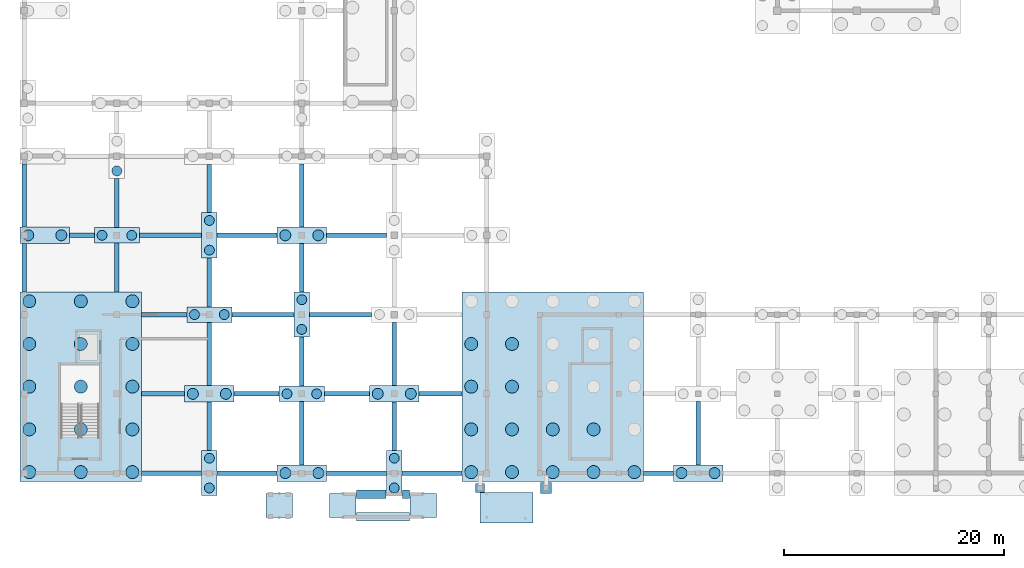
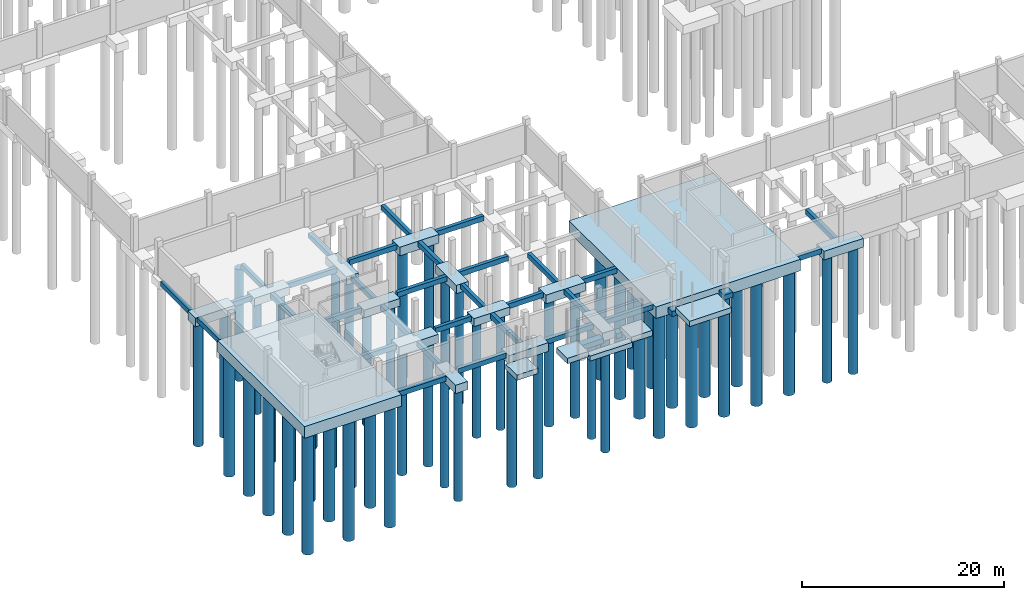
# One storey, part 1 of 22: 55 footings, 55 piles.
"""IFC4 building model written with IfcOpenShell, lengths in metres."""

from ifc_helpers import new_model, si_unit, direction, frame, origin, origin_2d, place, context, subcontext, project, spatial, rectangle, circle, extrude, material, material_profile, profile_set, type_object, element, save


model = new_model("IFC4")

# Units and contexts
model_context = context("Model", 3, precision=1e-05, world=origin(), true_north=direction((0.0, 1.0)))
body_context = subcontext(model_context, "Body", "Model", "MODEL_VIEW")
ifc_project = project(units=[si_unit("LENGTHUNIT", "METRE"), si_unit("AREAUNIT", "SQUARE_METRE"), si_unit("VOLUMEUNIT", "CUBIC_METRE"), si_unit("PLANEANGLEUNIT", "RADIAN"), si_unit("MASSUNIT", "GRAM", prefix="KILO")], contexts=[model_context])

# Site, building, storey
site_placement = place(None, origin())
site = spatial("IfcSite", under=ifc_project, at=site_placement, CompositionType="ELEMENT")
building_placement = place(site_placement, origin())
building = spatial("IfcBuilding", under=site, at=building_placement, Name="Kahlenmark Community Centre", CompositionType="ELEMENT")
storey_placement = place(building_placement, frame((0.0, 0.0, -4.199951171875)))
storey = spatial("IfcBuildingStorey", under=building, at=storey_placement, Name="B1", CompositionType="ELEMENT", Elevation=-4.199951171875)

# Footings
ifc_material = material(Name="Concrete C30/37", Category="concrete")
footing_type_1 = type_object("IfcFootingType", Name="FT-GB-400X600", PredefinedType="FOOTING_BEAM", material=ifc_material)
for number, where, z_axis, x_axis, name in (
    (1, (17.375, 8.800048828125, -1.0), (0.0, 0.0, 1.0), (1.0, 0.0, 0.0), "Ground tie beam X001"),
    (2, (24.22509765625, 8.800048828125, -0.60009765625), (0.0, 0.0, 1.0), (1.0, 0.0, 0.0), "Ground tie beam X002"),
    (3, (34.175048828125, 8.800048828125, -0.60009765625), (0.0, 0.0, 1.0), (1.0, 0.0, 0.0), "Ground tie beam X003"),
    (4, (41.02490234375, 8.800048828125, -0.60009765625), (0.0, 0.0, 1.0), (1.0, 0.0, 0.0), "Ground tie beam X004"),
):
    element("IfcFooting", number, at=place(storey_placement, frame(where, z_axis=z_axis, x_axis=x_axis)), inside=storey, type_object=footing_type_1, Name=name, PredefinedType="FOOTING_BEAM", context=body_context, shape_type="SweptSolid", body=[
        extrude(rectangle(XDim=5.449951171875, YDim=0.39990234375, at=origin_2d()), origin(), (0.0, 0.0, 1.0), 0.60009765625),
    ])
footing_1_placement = place(storey_placement, frame((61.60009765625, 8.800048828125, -0.60009765625), z_axis=(0.0, 0.0, 1.0), x_axis=(1.0, 0.0, 0.0)))
element("IfcFooting", 5, at=footing_1_placement, inside=storey, type_object=footing_type_1, Name="Ground tie beam X005", PredefinedType="FOOTING_BEAM", context=body_context, shape_type="SweptSolid", body=[
    extrude(rectangle(XDim=2.699951171875, YDim=0.39990234375, at=origin_2d()), origin(), (0.0, 0.0, 1.0), 0.60009765625),
])
footing_2_placement = place(storey_placement, frame((16.60009765625, 16.0, -1.0), z_axis=(0.0, 0.0, 1.0), x_axis=(1.0, 0.0, 0.0)))
element("IfcFooting", 6, at=footing_2_placement, inside=storey, type_object=footing_type_1, Name="Ground tie beam X014", PredefinedType="FOOTING_BEAM", context=body_context, shape_type="SweptSolid", body=[
    extrude(rectangle(XDim=3.89990234375, YDim=0.39990234375, at=origin_2d()), origin(), (0.0, 0.0, 1.0), 0.60009765625),
])
for number, where, z_axis, x_axis, name in (
    (7, (25.10009765625, 16.0, -0.60009765625), (0.0, 0.0, 1.0), (1.0, 0.0, 0.0), "Ground tie beam X015"),
    (8, (33.300048828125, 16.0, -0.60009765625), (0.0, 0.0, 1.0), (1.0, 0.0, 0.0), "Ground tie beam X016"),
):
    element("IfcFooting", number, at=place(storey_placement, frame(where, z_axis=z_axis, x_axis=x_axis)), inside=storey, type_object=footing_type_1, Name=name, PredefinedType="FOOTING_BEAM", context=body_context, shape_type="SweptSolid", body=[
        extrude(rectangle(XDim=4.10009765625, YDim=0.39990234375, at=origin_2d()), origin(), (0.0, 0.0, 1.0), 0.60009765625),
    ])
footing_3_placement = place(storey_placement, frame((41.800048828125, 16.0, -0.60009765625), z_axis=(0.0, 0.0, 1.0), x_axis=(1.0, 0.0, 0.0)))
element("IfcFooting", 9, at=footing_3_placement, inside=storey, type_object=footing_type_1, Name="Ground tie beam X017", PredefinedType="FOOTING_BEAM", context=body_context, shape_type="SweptSolid", body=[
    extrude(rectangle(XDim=3.89990234375, YDim=0.39990234375, at=origin_2d()), origin(), (0.0, 0.0, 1.0), 0.60009765625),
])
footing_4_placement = place(storey_placement, frame((16.699951171875, 23.199951171875, -1.0), z_axis=(0.0, 0.0, 1.0), x_axis=(1.0, 0.0, 0.0)))
element("IfcFooting", 10, at=footing_4_placement, inside=storey, type_object=footing_type_1, Name="Ground tie beam X029", PredefinedType="FOOTING_BEAM", context=body_context, shape_type="SweptSolid", body=[
    extrude(rectangle(XDim=4.10009765625, YDim=0.39990234375, at=origin_2d()), origin(), (0.0, 0.0, 1.0), 0.60009765625),
])
for number, where, z_axis, x_axis, name in (
    (11, (25.675048828125, 23.199951171875, -0.60009765625), (0.0, 0.0, 1.0), (1.0, 0.0, 0.0), "Ground tie beam X030"),
    (12, (32.72509765625, 23.199951171875, -0.60009765625), (0.0, 0.0, 1.0), (1.0, 0.0, 0.0), "Ground tie beam X031"),
):
    element("IfcFooting", number, at=place(storey_placement, frame(where, z_axis=z_axis, x_axis=x_axis)), inside=storey, type_object=footing_type_1, Name=name, PredefinedType="FOOTING_BEAM", context=body_context, shape_type="SweptSolid", body=[
        extrude(rectangle(XDim=5.64990234375, YDim=0.39990234375, at=origin_2d()), origin(), (0.0, 0.0, 1.0), 0.60009765625),
    ])
footing_5_placement = place(storey_placement, frame((9.22509765625, 30.39990234375, -1.0), z_axis=(0.0, 0.0, 1.0), x_axis=(1.0, 0.0, 0.0)))
element("IfcFooting", 13, at=footing_5_placement, inside=storey, type_object=footing_type_1, Name="Ground tie beam X048", PredefinedType="FOOTING_BEAM", context=body_context, shape_type="SweptSolid", body=[
    extrude(rectangle(XDim=2.25, YDim=0.39990234375, at=origin_2d()), origin(), (0.0, 0.0, 1.0), 0.60009765625),
])
footing_6_placement = place(storey_placement, frame((17.27490234375, 30.39990234375, -1.0), z_axis=(0.0, 0.0, 1.0), x_axis=(1.0, 0.0, 0.0)))
element("IfcFooting", 14, at=footing_6_placement, inside=storey, type_object=footing_type_1, Name="Ground tie beam X049", PredefinedType="FOOTING_BEAM", context=body_context, shape_type="SweptSolid", body=[
    extrude(rectangle(XDim=5.64990234375, YDim=0.39990234375, at=origin_2d()), origin(), (0.0, 0.0, 1.0), 0.60009765625),
])
for number, where, z_axis, x_axis, name in (
    (15, (24.22509765625, 30.39990234375, -0.60009765625), (0.0, 0.0, 1.0), (1.0, 0.0, 0.0), "Ground tie beam X050"),
    (16, (34.175048828125, 30.39990234375, -0.60009765625), (0.0, 0.0, 1.0), (1.0, 0.0, 0.0), "Ground tie beam X051"),
):
    element("IfcFooting", number, at=place(storey_placement, frame(where, z_axis=z_axis, x_axis=x_axis)), inside=storey, type_object=footing_type_1, Name=name, PredefinedType="FOOTING_BEAM", context=body_context, shape_type="SweptSolid", body=[
        extrude(rectangle(XDim=5.449951171875, YDim=0.39990234375, at=origin_2d()), origin(), (0.0, 0.0, 1.0), 0.60009765625),
    ])
footing_7_placement = place(storey_placement, frame((4.0, 27.449951171875, -1.0), z_axis=(0.0, 0.0, 1.0), x_axis=(1.0, 0.0, 0.0)))
element("IfcFooting", 17, at=footing_7_placement, inside=storey, type_object=footing_type_1, Name="Ground tie beam Y111", PredefinedType="FOOTING_BEAM", context=body_context, shape_type="SweptSolid", body=[
    extrude(rectangle(XDim=0.39990234375, YDim=4.39990234375, at=origin_2d()), origin(), (0.0, 0.0, 1.0), 0.60009765625),
])
footing_8_placement = place(storey_placement, frame((4.0, 34.02490234375, -1.0), z_axis=(0.0, 0.0, 1.0), x_axis=(1.0, 0.0, 0.0)))
element("IfcFooting", 18, at=footing_8_placement, inside=storey, type_object=footing_type_1, Name="Ground tie beam Y112", PredefinedType="FOOTING_BEAM", context=body_context, shape_type="SweptSolid", body=[
    extrude(rectangle(XDim=0.39990234375, YDim=5.75, at=origin_2d()), origin(), (0.0, 0.0, 1.0), 0.60009765625),
])
for number, where, z_axis, x_axis, name in (
    (19, (12.39990234375, 27.47509765625, -1.0), (0.0, 0.0, 1.0), (1.0, 0.0, 0.0), "Ground tie beam Y120"),
    (20, (12.39990234375, 33.324951171875, -1.0), (0.0, 0.0, 1.0), (1.0, 0.0, 0.0), "Ground tie beam Y121"),
):
    element("IfcFooting", number, at=place(storey_placement, frame(where, z_axis=z_axis, x_axis=x_axis)), inside=storey, type_object=footing_type_1, Name=name, PredefinedType="FOOTING_BEAM", context=body_context, shape_type="SweptSolid", body=[
        extrude(rectangle(XDim=0.39990234375, YDim=4.449951171875, at=origin_2d()), origin(), (0.0, 0.0, 1.0), 0.60009765625),
    ])
footing_9_placement = place(storey_placement, frame((20.800048828125, 13.050048828125, -1.0), z_axis=(0.0, 0.0, 1.0), x_axis=(1.0, 0.0, 0.0)))
element("IfcFooting", 21, at=footing_9_placement, inside=storey, type_object=footing_type_1, Name="Ground tie beam Y125", PredefinedType="FOOTING_BEAM", context=body_context, shape_type="SweptSolid", body=[
    extrude(rectangle(XDim=0.39990234375, YDim=4.39990234375, at=origin_2d()), origin(), (0.0, 0.0, 1.0), 0.60009765625),
])
footing_10_placement = place(storey_placement, frame((20.800048828125, 19.625, -1.0), z_axis=(0.0, 0.0, 1.0), x_axis=(1.0, 0.0, 0.0)))
element("IfcFooting", 22, at=footing_10_placement, inside=storey, type_object=footing_type_1, Name="Ground tie beam Y126", PredefinedType="FOOTING_BEAM", context=body_context, shape_type="SweptSolid", body=[
    extrude(rectangle(XDim=0.39990234375, YDim=5.75, at=origin_2d()), origin(), (0.0, 0.0, 1.0), 0.60009765625),
])
footing_11_placement = place(storey_placement, frame((20.800048828125, 26.125, -1.0), z_axis=(0.0, 0.0, 1.0), x_axis=(1.0, 0.0, 0.0)))
element("IfcFooting", 23, at=footing_11_placement, inside=storey, type_object=footing_type_1, Name="Ground tie beam Y127", PredefinedType="FOOTING_BEAM", context=body_context, shape_type="SweptSolid", body=[
    extrude(rectangle(XDim=0.39990234375, YDim=4.449951171875, at=origin_2d()), origin(), (0.0, 0.0, 1.0), 0.60009765625),
])
footing_12_placement = place(storey_placement, frame((20.800048828125, 34.64990234375, -1.0), z_axis=(0.0, 0.0, 1.0), x_axis=(1.0, 0.0, 0.0)))
element("IfcFooting", 24, at=footing_12_placement, inside=storey, type_object=footing_type_1, Name="Ground tie beam Y128", PredefinedType="FOOTING_BEAM", context=body_context, shape_type="SweptSolid", body=[
    extrude(rectangle(XDim=0.39990234375, YDim=4.39990234375, at=origin_2d()), origin(), (0.0, 0.0, 1.0), 0.60009765625),
])
footing_13_placement = place(storey_placement, frame((29.199951171875, 12.425048828125, -0.60009765625), z_axis=(0.0, 0.0, 1.0), x_axis=(1.0, 0.0, 0.0)))
element("IfcFooting", 25, at=footing_13_placement, inside=storey, type_object=footing_type_1, Name="Ground tie beam Y132", PredefinedType="FOOTING_BEAM", context=body_context, shape_type="SweptSolid", body=[
    extrude(rectangle(XDim=0.39990234375, YDim=5.75, at=origin_2d()), origin(), (0.0, 0.0, 1.0), 0.60009765625),
])
footing_14_placement = place(storey_placement, frame((29.199951171875, 18.925048828125, -0.60009765625), z_axis=(0.0, 0.0, 1.0), x_axis=(1.0, 0.0, 0.0)))
element("IfcFooting", 26, at=footing_14_placement, inside=storey, type_object=footing_type_1, Name="Ground tie beam Y133", PredefinedType="FOOTING_BEAM", context=body_context, shape_type="SweptSolid", body=[
    extrude(rectangle(XDim=0.39990234375, YDim=4.449951171875, at=origin_2d()), origin(), (0.0, 0.0, 1.0), 0.60009765625),
])
footing_15_placement = place(storey_placement, frame((29.199951171875, 27.449951171875, -0.60009765625), z_axis=(0.0, 0.0, 1.0), x_axis=(1.0, 0.0, 0.0)))
element("IfcFooting", 27, at=footing_15_placement, inside=storey, type_object=footing_type_1, Name="Ground tie beam Y134", PredefinedType="FOOTING_BEAM", context=body_context, shape_type="SweptSolid", body=[
    extrude(rectangle(XDim=0.39990234375, YDim=4.39990234375, at=origin_2d()), origin(), (0.0, 0.0, 1.0), 0.60009765625),
])
footing_16_placement = place(storey_placement, frame((29.199951171875, 34.02490234375, -0.60009765625), z_axis=(0.0, 0.0, 1.0), x_axis=(1.0, 0.0, 0.0)))
element("IfcFooting", 28, at=footing_16_placement, inside=storey, type_object=footing_type_1, Name="Ground tie beam Y135", PredefinedType="FOOTING_BEAM", context=body_context, shape_type="SweptSolid", body=[
    extrude(rectangle(XDim=0.39990234375, YDim=5.75, at=origin_2d()), origin(), (0.0, 0.0, 1.0), 0.60009765625),
])
footing_17_placement = place(storey_placement, frame((37.60009765625, 13.050048828125, -0.60009765625), z_axis=(0.0, 0.0, 1.0), x_axis=(1.0, 0.0, 0.0)))
element("IfcFooting", 29, at=footing_17_placement, inside=storey, type_object=footing_type_1, Name="Ground tie beam Y145", PredefinedType="FOOTING_BEAM", context=body_context, shape_type="SweptSolid", body=[
    extrude(rectangle(XDim=0.39990234375, YDim=4.39990234375, at=origin_2d()), origin(), (0.0, 0.0, 1.0), 0.60009765625),
])
for number, where, z_axis, x_axis, name in (
    (30, (37.60009765625, 19.625, -0.60009765625), (0.0, 0.0, 1.0), (1.0, 0.0, 0.0), "Ground tie beam Y146"),
    (31, (65.199951171875, 12.425048828125, -0.60009765625), (0.0, 0.0, 1.0), (1.0, 0.0, 0.0), "Ground tie beam Y162"),
):
    element("IfcFooting", number, at=place(storey_placement, frame(where, z_axis=z_axis, x_axis=x_axis)), inside=storey, type_object=footing_type_1, Name=name, PredefinedType="FOOTING_BEAM", context=body_context, shape_type="SweptSolid", body=[
        extrude(rectangle(XDim=0.39990234375, YDim=5.75, at=origin_2d()), origin(), (0.0, 0.0, 1.0), 0.60009765625),
    ])
footing_type_2 = type_object("IfcFootingType", Name="FT-PAD-100X100", PredefinedType="PAD_FOOTING", material=ifc_material)
footing_18_placement = place(storey_placement, frame((51.39990234375, 7.449951171875, -1.0), z_axis=(0.0, 0.0, 1.0), x_axis=(1.0, 0.0, 0.0)))
element("IfcFooting", 32, at=footing_18_placement, inside=storey, type_object=footing_type_2, Name="Pad footing auto 002", PredefinedType="PAD_FOOTING", context=body_context, shape_type="SweptSolid", body=[
    extrude(rectangle(XDim=1.0, YDim=1.0, at=origin_2d()), origin(), (0.0, 0.0, 1.0), 0.60009765625),
])
footing_type_3 = type_object("IfcFootingType", Name="FT-PAD-160X160", PredefinedType="PAD_FOOTING", material=ifc_material)
for number, where, z_axis, x_axis, name in (
    (33, (27.139892578125, 5.85009765625, -0.64990234375), (0.0, 0.0, 1.0), (1.0, 0.0, 0.0), "Forecourt pad footing PF-01"),
    (34, (32.919921875, 5.85009765625, -0.64990234375), (0.0, 0.0, 1.0), (1.0, 0.0, 0.0), "Forecourt pad footing PF-02"),
    (35, (40.219970703125, 5.85009765625, -0.64990234375), (0.0, 0.0, 1.0), (1.0, 0.0, 0.0), "Forecourt pad footing PF-03"),
):
    element("IfcFooting", number, at=place(storey_placement, frame(where, z_axis=z_axis, x_axis=x_axis)), inside=storey, type_object=footing_type_3, Name=name, PredefinedType="PAD_FOOTING", context=body_context, shape_type="SweptSolid", body=[
        extrude(rectangle(XDim=2.39990234375, YDim=2.199951171875, at=origin_2d()), origin(), (0.0, 0.0, 1.0), 0.64990234375),
    ])
footing_type_4 = type_object("IfcFootingType", Name="FT-PAD-500X240", PredefinedType="PAD_FOOTING", material=ifc_material)
footing_19_placement = place(storey_placement, frame((47.800048828125, 5.64990234375, -0.64990234375), z_axis=(0.0, 0.0, 1.0), x_axis=(1.0, 0.0, 0.0)))
element("IfcFooting", 36, at=footing_19_placement, inside=storey, type_object=footing_type_4, Name="Forecourt combined apron deep pad footing", PredefinedType="PAD_FOOTING", context=body_context, shape_type="SweptSolid", body=[
    extrude(rectangle(XDim=4.800048828125, YDim=2.800048828125, at=origin_2d()), origin(), (0.0, 0.0, 1.0), 0.64990234375),
])
footing_type_5 = type_object("IfcFootingType", Name="FT-PAD-80X80", PredefinedType="PAD_FOOTING", material=ifc_material)
footing_20_placement = place(storey_placement, frame((45.39990234375, 7.449951171875, -1.0), z_axis=(0.0, 0.0, 1.0), x_axis=(1.0, 0.0, 0.0)))
element("IfcFooting", 37, at=footing_20_placement, inside=storey, type_object=footing_type_5, Name="Pad footing auto 001", PredefinedType="PAD_FOOTING", context=body_context, shape_type="SweptSolid", body=[
    extrude(rectangle(XDim=0.800048828125, YDim=0.800048828125, at=origin_2d()), origin(), (0.0, 0.0, 1.0), 0.60009765625),
])
footing_type_6 = type_object("IfcFootingType", Name="FT-PC-1105X1720X140", PredefinedType="PILE_CAP", material=ifc_material)
footing_21_placement = place(storey_placement, frame((9.125, 16.64990234375, -1.800048828125), z_axis=(0.0, 0.0, 1.0), x_axis=(1.0, 0.0, 0.0)))
element("IfcFooting", 38, at=footing_21_placement, inside=storey, type_object=footing_type_6, Name="Bored pile cap FT-PC-006", PredefinedType="PILE_CAP", context=body_context, shape_type="SweptSolid", body=[
    extrude(rectangle(XDim=11.050048828125, YDim=17.199951171875, at=origin_2d()), origin(), (0.0, 0.0, 1.0), 1.39990234375),
])
footing_type_7 = type_object("IfcFootingType", Name="FT-PC-140X410X100", PredefinedType="PILE_CAP", material=ifc_material)
for number, where, z_axis, x_axis, name in (
    (39, (20.800048828125, 8.800048828125, -1.400146484375), (0.0, 0.0, 1.0), (1.0, 0.0, 0.0), "Bored pile cap FT-PC-001"),
    (40, (37.60009765625, 8.800048828125, -1.0), (0.0, 0.0, 1.0), (1.0, 0.0, 0.0), "Bored pile cap FT-PC-002"),
    (41, (29.199951171875, 23.199951171875, -1.0), (0.0, 0.0, 1.0), (1.0, 0.0, 0.0), "Bored pile cap FT-PC-028"),
    (42, (20.800048828125, 30.39990234375, -1.400146484375), (0.0, 0.0, 1.0), (1.0, 0.0, 0.0), "Bored pile cap FT-PC-046"),
):
    element("IfcFooting", number, at=place(storey_placement, frame(where, z_axis=z_axis, x_axis=x_axis)), inside=storey, type_object=footing_type_7, Name=name, PredefinedType="PILE_CAP", context=body_context, shape_type="SweptSolid", body=[
        extrude(rectangle(XDim=1.39990234375, YDim=4.10009765625, at=origin_2d()), origin(), (0.0, 0.0, 1.0), 1.0),
    ])
footing_type_8 = type_object("IfcFootingType", Name="FT-PC-1650X1720X140", PredefinedType="PILE_CAP", material=ifc_material)
footing_22_placement = place(storey_placement, frame((52.0, 16.64990234375, -1.39990234375), z_axis=(0.0, 0.0, 1.0), x_axis=(1.0, 0.0, 0.0)))
element("IfcFooting", 43, at=footing_22_placement, inside=storey, type_object=footing_type_8, Name="Bored pile cap FT-PC-008", PredefinedType="PILE_CAP", context=body_context, shape_type="SweptSolid", body=[
    extrude(rectangle(XDim=16.5, YDim=17.199951171875, at=origin_2d()), origin(), (0.0, 0.0, 1.0), 1.39990234375),
])
footing_type_9 = type_object("IfcFootingType", Name="FT-PC-410X140X95", PredefinedType="PILE_CAP", material=ifc_material)
for number, where, z_axis, x_axis, name in (
    (44, (29.199951171875, 16.0, -0.9501953125), (0.0, 0.0, 1.0), (1.0, 0.0, 0.0), "Bored pile cap FT-PC-019"),
    (45, (20.800048828125, 23.199951171875, -1.35009765625), (0.0, 0.0, 1.0), (1.0, 0.0, 0.0), "Bored pile cap FT-PC-041"),
    (46, (12.39990234375, 30.39990234375, -1.35009765625), (0.0, 0.0, 1.0), (1.0, 0.0, 0.0), "Bored pile cap FT-PC-054"),
):
    element("IfcFooting", number, at=place(storey_placement, frame(where, z_axis=z_axis, x_axis=x_axis)), inside=storey, type_object=footing_type_9, Name=name, PredefinedType="PILE_CAP", context=body_context, shape_type="SweptSolid", body=[
        extrude(rectangle(XDim=4.10009765625, YDim=1.39990234375, at=origin_2d()), origin(), (0.0, 0.0, 1.0), 0.949951171875),
    ])
footing_type_10 = type_object("IfcFootingType", Name="FT-PC-450X150X105", PredefinedType="PILE_CAP", material=ifc_material)
for number, where, z_axis, x_axis, name in (
    (47, (29.199951171875, 8.800048828125, -1.05029296875), (0.0, 0.0, 1.0), (1.0, 0.0, 0.0), "Bored pile cap FT-PC-007"),
    (48, (65.199951171875, 8.800048828125, -1.05029296875), (0.0, 0.0, 1.0), (1.0, 0.0, 0.0), "Bored pile cap FT-PC-009"),
    (49, (20.800048828125, 16.0, -1.4501953125), (0.0, 0.0, 1.0), (1.0, 0.0, 0.0), "Bored pile cap FT-PC-016"),
    (50, (37.60009765625, 16.0, -1.05029296875), (0.0, 0.0, 1.0), (1.0, 0.0, 0.0), "Bored pile cap FT-PC-017"),
    (51, (5.85009765625, 30.39990234375, -1.4501953125), (0.0, 0.0, 1.0), (1.0, 0.0, 0.0), "Bored pile cap FT-PC-048"),
    (52, (29.199951171875, 30.39990234375, -1.05029296875), (0.0, 0.0, 1.0), (1.0, 0.0, 0.0), "Bored pile cap FT-PC-049"),
):
    element("IfcFooting", number, at=place(storey_placement, frame(where, z_axis=z_axis, x_axis=x_axis)), inside=storey, type_object=footing_type_10, Name=name, PredefinedType="PILE_CAP", context=body_context, shape_type="SweptSolid", body=[
        extrude(rectangle(XDim=4.5, YDim=1.5, at=origin_2d()), origin(), (0.0, 0.0, 1.0), 1.050048828125),
    ])
footing_type_11 = type_object("IfcFootingType", Name="FT-SF-760X2700", PredefinedType="STRIP_FOOTING", material=ifc_material)
footing_23_placement = place(storey_placement, frame((35.510009765625, 6.864990234375, -1.0), z_axis=(0.0, 0.0, 1.0), x_axis=(1.0, 0.0, 0.0)))
element("IfcFooting", 53, at=footing_23_placement, inside=storey, type_object=footing_type_11, Name="Strip footing auto 002", PredefinedType="STRIP_FOOTING", context=body_context, shape_type="SweptSolid", body=[
    extrude(rectangle(XDim=2.699951171875, YDim=0.760009765625, at=origin_2d()), origin(), (0.0, 0.0, 1.0), 0.60009765625),
])
footing_type_12 = type_object("IfcFootingType", Name="FT-SF-760X4820", PredefinedType="STRIP_FOOTING", material=ifc_material)
footing_24_placement = place(storey_placement, frame((36.570068359375, 4.8349609375, -1.0), z_axis=(0.0, 0.0, 1.0), x_axis=(1.0, 0.0, 0.0)))
element("IfcFooting", 54, at=footing_24_placement, inside=storey, type_object=footing_type_12, Name="Strip footing auto 001", PredefinedType="STRIP_FOOTING", context=body_context, shape_type="SweptSolid", body=[
    extrude(rectangle(XDim=4.820068359375, YDim=0.760009765625, at=origin_2d()), origin(), (0.0, 0.0, 1.0), 0.60009765625),
])
footing_type_13 = type_object("IfcFootingType", Name="FT-SF-760X640", PredefinedType="STRIP_FOOTING", material=ifc_material)
footing_25_placement = place(storey_placement, frame((38.659912109375, 6.864990234375, -1.0), z_axis=(0.0, 0.0, 1.0), x_axis=(1.0, 0.0, 0.0)))
element("IfcFooting", 55, at=footing_25_placement, inside=storey, type_object=footing_type_13, Name="Strip footing auto 003", PredefinedType="STRIP_FOOTING", context=body_context, shape_type="SweptSolid", body=[
    extrude(rectangle(XDim=0.639892578125, YDim=0.760009765625, at=origin_2d()), origin(), (0.0, 0.0, 1.0), 0.60009765625),
])

# Piles
ifc_material_profile_1 = material_profile(ifc_material, circle(Radius=0.5, at=origin_2d()), Name="BORED PILE 1000")
ifc_profile_set_1 = profile_set([ifc_material_profile_1], Name="Concrete C30/37")
pile_type_1 = type_object("IfcPileType", Name="PT-BP1000", PredefinedType="BORED", material=ifc_profile_set_1)
for number, where, z_axis, x_axis, name in (
    (56, (27.699951171875, 8.800048828125, -0.949951171875), (0.0, 0.0, -1.0), (1.0, 0.0, 0.0), "Bored pile PL-RC2-007-01"),
    (57, (30.699951171875, 8.800048828125, -0.949951171875), (0.0, 0.0, -1.0), (1.0, 0.0, 0.0), "Bored pile PL-RC2-007-02"),
    (58, (63.699951171875, 8.800048828125, -0.949951171875), (0.0, 0.0, -1.0), (1.0, 0.0, 0.0), "Bored pile PL-RC2-009-01"),
    (59, (66.699951171875, 8.800048828125, -0.949951171875), (0.0, 0.0, -1.0), (1.0, 0.0, 0.0), "Bored pile PL-RC2-009-02"),
):
    element("IfcPile", number, at=place(storey_placement, frame(where, z_axis=z_axis, x_axis=x_axis)), inside=storey, type_object=pile_type_1, Name=name, PredefinedType="BORED", context=body_context, shape_type="SweptSolid", body=[
        extrude(circle(Radius=0.5, at=origin_2d()), origin(), (0.0, 0.0, 1.0), 15.35009765625),
    ])
for number, where, z_axis, x_axis, name in (
    (60, (19.300048828125, 16.0, -1.35009765625), (0.0, 0.0, -1.0), (1.0, 0.0, 0.0), "Bored pile PL-RC2-016-01"),
    (61, (22.300048828125, 16.0, -1.35009765625), (0.0, 0.0, -1.0), (1.0, 0.0, 0.0), "Bored pile PL-RC2-016-02"),
):
    element("IfcPile", number, at=place(storey_placement, frame(where, z_axis=z_axis, x_axis=x_axis)), inside=storey, type_object=pile_type_1, Name=name, PredefinedType="BORED", context=body_context, shape_type="SweptSolid", body=[
        extrude(circle(Radius=0.5, at=origin_2d()), origin(), (0.0, 0.0, 1.0), 14.949951171875),
    ])
for number, where, z_axis, x_axis, name in (
    (62, (36.10009765625, 16.0, -0.949951171875), (0.0, 0.0, -1.0), (1.0, 0.0, 0.0), "Bored pile PL-RC2-017-01"),
    (63, (39.10009765625, 16.0, -0.949951171875), (0.0, 0.0, -1.0), (1.0, 0.0, 0.0), "Bored pile PL-RC2-017-02"),
):
    element("IfcPile", number, at=place(storey_placement, frame(where, z_axis=z_axis, x_axis=x_axis)), inside=storey, type_object=pile_type_1, Name=name, PredefinedType="BORED", context=body_context, shape_type="SweptSolid", body=[
        extrude(circle(Radius=0.5, at=origin_2d()), origin(), (0.0, 0.0, 1.0), 15.35009765625),
    ])
for number, where, z_axis, x_axis, name in (
    (64, (4.35009765625, 30.39990234375, -1.35009765625), (0.0, 0.0, -1.0), (1.0, 0.0, 0.0), "Bored pile PL-RC2-048-01"),
    (65, (7.35009765625, 30.39990234375, -1.35009765625), (0.0, 0.0, -1.0), (1.0, 0.0, 0.0), "Bored pile PL-RC2-048-02"),
):
    element("IfcPile", number, at=place(storey_placement, frame(where, z_axis=z_axis, x_axis=x_axis)), inside=storey, type_object=pile_type_1, Name=name, PredefinedType="BORED", context=body_context, shape_type="SweptSolid", body=[
        extrude(circle(Radius=0.5, at=origin_2d()), origin(), (0.0, 0.0, 1.0), 14.949951171875),
    ])
for number, where, z_axis, x_axis, name in (
    (66, (27.699951171875, 30.39990234375, -0.949951171875), (0.0, 0.0, -1.0), (1.0, 0.0, 0.0), "Bored pile PL-RC2-049-01"),
    (67, (30.699951171875, 30.39990234375, -0.949951171875), (0.0, 0.0, -1.0), (1.0, 0.0, 0.0), "Bored pile PL-RC2-049-02"),
):
    element("IfcPile", number, at=place(storey_placement, frame(where, z_axis=z_axis, x_axis=x_axis)), inside=storey, type_object=pile_type_1, Name=name, PredefinedType="BORED", context=body_context, shape_type="SweptSolid", body=[
        extrude(circle(Radius=0.5, at=origin_2d()), origin(), (0.0, 0.0, 1.0), 15.35009765625),
    ])
ifc_material_profile_2 = material_profile(ifc_material, circle(Radius=0.590087890625, at=origin_2d()), Name="BORED PILE 1180")
ifc_profile_set_2 = profile_set([ifc_material_profile_2], Name="Concrete C30/37")
pile_type_2 = type_object("IfcPileType", Name="PT-BP1180", PredefinedType="BORED", material=ifc_profile_set_2)
for number, where, z_axis, x_axis, name in (
    (68, (4.43994140625, 8.889892578125, -1.699951171875), (0.0, 0.0, -1.0), (1.0, 0.0, 0.0), "Bored pile PL-RC2-006-01"),
    (69, (4.43994140625, 12.77001953125, -1.699951171875), (0.0, 0.0, -1.0), (1.0, 0.0, 0.0), "Bored pile PL-RC2-006-02"),
    (70, (4.43994140625, 16.64990234375, -1.699951171875), (0.0, 0.0, -1.0), (1.0, 0.0, 0.0), "Bored pile PL-RC2-006-03"),
    (71, (4.43994140625, 20.530029296875, -1.699951171875), (0.0, 0.0, -1.0), (1.0, 0.0, 0.0), "Bored pile PL-RC2-006-04"),
    (72, (4.43994140625, 24.409912109375, -1.699951171875), (0.0, 0.0, -1.0), (1.0, 0.0, 0.0), "Bored pile PL-RC2-006-05"),
    (73, (9.125, 8.889892578125, -1.699951171875), (0.0, 0.0, -1.0), (1.0, 0.0, 0.0), "Bored pile PL-RC2-006-06"),
    (74, (9.125, 12.77001953125, -1.699951171875), (0.0, 0.0, -1.0), (1.0, 0.0, 0.0), "Bored pile PL-RC2-006-07"),
    (75, (9.125, 16.64990234375, -1.699951171875), (0.0, 0.0, -1.0), (1.0, 0.0, 0.0), "Bored pile PL-RC2-006-08"),
    (76, (9.125, 20.530029296875, -1.699951171875), (0.0, 0.0, -1.0), (1.0, 0.0, 0.0), "Bored pile PL-RC2-006-09"),
    (77, (9.125, 24.409912109375, -1.699951171875), (0.0, 0.0, -1.0), (1.0, 0.0, 0.0), "Bored pile PL-RC2-006-10"),
    (78, (13.81005859375, 8.889892578125, -1.699951171875), (0.0, 0.0, -1.0), (1.0, 0.0, 0.0), "Bored pile PL-RC2-006-11"),
    (79, (13.81005859375, 12.77001953125, -1.699951171875), (0.0, 0.0, -1.0), (1.0, 0.0, 0.0), "Bored pile PL-RC2-006-12"),
    (80, (13.81005859375, 16.64990234375, -1.699951171875), (0.0, 0.0, -1.0), (1.0, 0.0, 0.0), "Bored pile PL-RC2-006-13"),
    (81, (13.81005859375, 20.530029296875, -1.699951171875), (0.0, 0.0, -1.0), (1.0, 0.0, 0.0), "Bored pile PL-RC2-006-14"),
    (82, (13.81005859375, 24.409912109375, -1.699951171875), (0.0, 0.0, -1.0), (1.0, 0.0, 0.0), "Bored pile PL-RC2-006-15"),
):
    element("IfcPile", number, at=place(storey_placement, frame(where, z_axis=z_axis, x_axis=x_axis)), inside=storey, type_object=pile_type_2, Name=name, PredefinedType="BORED", context=body_context, shape_type="SweptSolid", body=[
        extrude(circle(Radius=0.590087890625, at=origin_2d()), origin(), (0.0, 0.0, 1.0), 14.60009765625),
    ])
for number, where, z_axis, x_axis, name in (
    (83, (44.590087890625, 8.889892578125, -1.300048828125), (0.0, 0.0, -1.0), (1.0, 0.0, 0.0), "Bored pile PL-RC2-008-01"),
    (84, (44.590087890625, 12.77001953125, -1.300048828125), (0.0, 0.0, -1.0), (1.0, 0.0, 0.0), "Bored pile PL-RC2-008-02"),
    (85, (44.590087890625, 16.64990234375, -1.300048828125), (0.0, 0.0, -1.0), (1.0, 0.0, 0.0), "Bored pile PL-RC2-008-03"),
    (86, (44.590087890625, 20.530029296875, -1.300048828125), (0.0, 0.0, -1.0), (1.0, 0.0, 0.0), "Bored pile PL-RC2-008-04"),
    (87, (48.294921875, 8.889892578125, -1.300048828125), (0.0, 0.0, -1.0), (1.0, 0.0, 0.0), "Bored pile PL-RC2-008-06"),
    (88, (48.294921875, 12.77001953125, -1.300048828125), (0.0, 0.0, -1.0), (1.0, 0.0, 0.0), "Bored pile PL-RC2-008-07"),
    (89, (48.294921875, 16.64990234375, -1.300048828125), (0.0, 0.0, -1.0), (1.0, 0.0, 0.0), "Bored pile PL-RC2-008-08"),
    (90, (48.294921875, 20.530029296875, -1.300048828125), (0.0, 0.0, -1.0), (1.0, 0.0, 0.0), "Bored pile PL-RC2-008-09"),
    (91, (52.0, 8.889892578125, -1.300048828125), (0.0, 0.0, -1.0), (1.0, 0.0, 0.0), "Bored pile PL-RC2-008-11"),
    (92, (52.0, 12.77001953125, -1.300048828125), (0.0, 0.0, -1.0), (1.0, 0.0, 0.0), "Bored pile PL-RC2-008-12"),
    (93, (55.705078125, 8.889892578125, -1.300048828125), (0.0, 0.0, -1.0), (1.0, 0.0, 0.0), "Bored pile PL-RC2-008-16"),
    (94, (55.705078125, 12.77001953125, -1.300048828125), (0.0, 0.0, -1.0), (1.0, 0.0, 0.0), "Bored pile PL-RC2-008-17"),
    (95, (59.409912109375, 8.889892578125, -1.300048828125), (0.0, 0.0, -1.0), (1.0, 0.0, 0.0), "Bored pile PL-RC2-008-21"),
):
    element("IfcPile", number, at=place(storey_placement, frame(where, z_axis=z_axis, x_axis=x_axis)), inside=storey, type_object=pile_type_2, Name=name, PredefinedType="BORED", context=body_context, shape_type="SweptSolid", body=[
        extrude(circle(Radius=0.590087890625, at=origin_2d()), origin(), (0.0, 0.0, 1.0), 15.0),
    ])
ifc_material_profile_3 = material_profile(ifc_material, circle(Radius=0.449951171875, at=origin_2d()), Name="BORED PILE 900")
ifc_profile_set_3 = profile_set([ifc_material_profile_3], Name="Concrete C30/37")
pile_type_3 = type_object("IfcPileType", Name="PT-BP900", PredefinedType="BORED", material=ifc_profile_set_3)
for number, where, z_axis, x_axis, name in (
    (96, (20.800048828125, 7.449951171875, -1.300048828125), (0.0, 0.0, -1.0), (1.0, 0.0, 0.0), "Bored pile PL-RC2-001-01"),
    (97, (20.800048828125, 10.14990234375, -1.300048828125), (0.0, 0.0, -1.0), (1.0, 0.0, 0.0), "Bored pile PL-RC2-001-02"),
):
    element("IfcPile", number, at=place(storey_placement, frame(where, z_axis=z_axis, x_axis=x_axis)), inside=storey, type_object=pile_type_3, Name=name, PredefinedType="BORED", context=body_context, shape_type="SweptSolid", body=[
        extrude(circle(Radius=0.449951171875, at=origin_2d()), origin(), (0.0, 0.0, 1.0), 13.5),
    ])
for number, where, z_axis, x_axis, name in (
    (98, (37.60009765625, 7.449951171875, -0.900146484375), (0.0, 0.0, -1.0), (1.0, 0.0, 0.0), "Bored pile PL-RC2-002-01"),
    (99, (37.60009765625, 10.14990234375, -0.900146484375), (0.0, 0.0, -1.0), (1.0, 0.0, 0.0), "Bored pile PL-RC2-002-02"),
):
    element("IfcPile", number, at=place(storey_placement, frame(where, z_axis=z_axis, x_axis=x_axis)), inside=storey, type_object=pile_type_3, Name=name, PredefinedType="BORED", context=body_context, shape_type="SweptSolid", body=[
        extrude(circle(Radius=0.449951171875, at=origin_2d()), origin(), (0.0, 0.0, 1.0), 13.89990234375),
    ])
for number, where, z_axis, x_axis, name in (
    (100, (27.85009765625, 16.0, -0.85009765625), (0.0, 0.0, -1.0), (1.0, 0.0, 0.0), "Bored pile PL-RC2-019-01"),
    (101, (30.550048828125, 16.0, -0.85009765625), (0.0, 0.0, -1.0), (1.0, 0.0, 0.0), "Bored pile PL-RC2-019-02"),
):
    element("IfcPile", number, at=place(storey_placement, frame(where, z_axis=z_axis, x_axis=x_axis)), inside=storey, type_object=pile_type_3, Name=name, PredefinedType="BORED", context=body_context, shape_type="SweptSolid", body=[
        extrude(circle(Radius=0.449951171875, at=origin_2d()), origin(), (0.0, 0.0, 1.0), 13.949951171875),
    ])
for number, where, z_axis, x_axis, name in (
    (102, (29.199951171875, 21.85009765625, -0.900146484375), (0.0, 0.0, -1.0), (1.0, 0.0, 0.0), "Bored pile PL-RC2-028-01"),
    (103, (29.199951171875, 24.550048828125, -0.900146484375), (0.0, 0.0, -1.0), (1.0, 0.0, 0.0), "Bored pile PL-RC2-028-02"),
):
    element("IfcPile", number, at=place(storey_placement, frame(where, z_axis=z_axis, x_axis=x_axis)), inside=storey, type_object=pile_type_3, Name=name, PredefinedType="BORED", context=body_context, shape_type="SweptSolid", body=[
        extrude(circle(Radius=0.449951171875, at=origin_2d()), origin(), (0.0, 0.0, 1.0), 13.89990234375),
    ])
for number, where, z_axis, x_axis, name in (
    (104, (19.449951171875, 23.199951171875, -1.25), (0.0, 0.0, -1.0), (1.0, 0.0, 0.0), "Bored pile PL-RC2-041-01"),
    (105, (22.14990234375, 23.199951171875, -1.25), (0.0, 0.0, -1.0), (1.0, 0.0, 0.0), "Bored pile PL-RC2-041-02"),
):
    element("IfcPile", number, at=place(storey_placement, frame(where, z_axis=z_axis, x_axis=x_axis)), inside=storey, type_object=pile_type_3, Name=name, PredefinedType="BORED", context=body_context, shape_type="SweptSolid", body=[
        extrude(circle(Radius=0.449951171875, at=origin_2d()), origin(), (0.0, 0.0, 1.0), 13.550048828125),
    ])
for number, where, z_axis, x_axis, name in (
    (106, (20.800048828125, 29.050048828125, -1.300048828125), (0.0, 0.0, -1.0), (1.0, 0.0, 0.0), "Bored pile PL-RC2-046-01"),
    (107, (20.800048828125, 31.75, -1.300048828125), (0.0, 0.0, -1.0), (1.0, 0.0, 0.0), "Bored pile PL-RC2-046-02"),
):
    element("IfcPile", number, at=place(storey_placement, frame(where, z_axis=z_axis, x_axis=x_axis)), inside=storey, type_object=pile_type_3, Name=name, PredefinedType="BORED", context=body_context, shape_type="SweptSolid", body=[
        extrude(circle(Radius=0.449951171875, at=origin_2d()), origin(), (0.0, 0.0, 1.0), 13.5),
    ])
for number, where, z_axis, x_axis, name in (
    (108, (11.050048828125, 30.39990234375, -1.25), (0.0, 0.0, -1.0), (1.0, 0.0, 0.0), "Bored pile PL-RC2-054-01"),
    (109, (13.75, 30.39990234375, -1.25), (0.0, 0.0, -1.0), (1.0, 0.0, 0.0), "Bored pile PL-RC2-054-02"),
):
    element("IfcPile", number, at=place(storey_placement, frame(where, z_axis=z_axis, x_axis=x_axis)), inside=storey, type_object=pile_type_3, Name=name, PredefinedType="BORED", context=body_context, shape_type="SweptSolid", body=[
        extrude(circle(Radius=0.449951171875, at=origin_2d()), origin(), (0.0, 0.0, 1.0), 13.550048828125),
    ])
pile_placement = place(storey_placement, frame((12.39990234375, 36.25, -1.300048828125), z_axis=(0.0, 0.0, -1.0), x_axis=(1.0, 0.0, 0.0)))
element("IfcPile", 110, at=pile_placement, inside=storey, type_object=pile_type_3, Name="Bored pile PL-RC2-056-01", PredefinedType="BORED", context=body_context, shape_type="SweptSolid", body=[
    extrude(circle(Radius=0.449951171875, at=origin_2d()), origin(), (0.0, 0.0, 1.0), 13.5),
])

save(model, "model.ifc")
